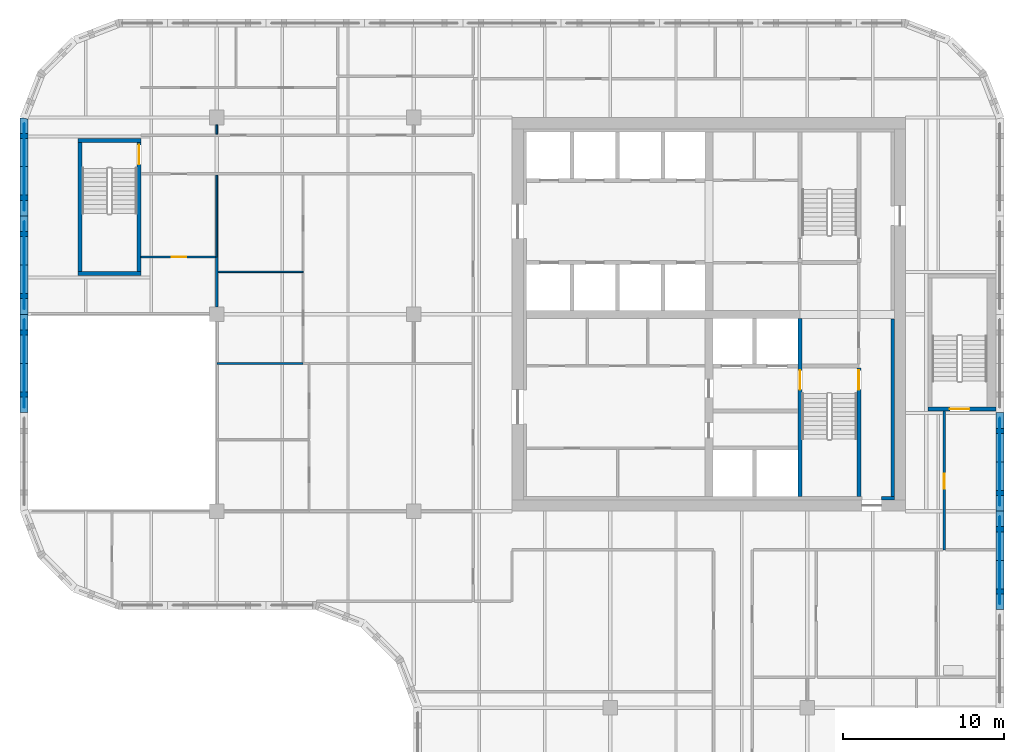
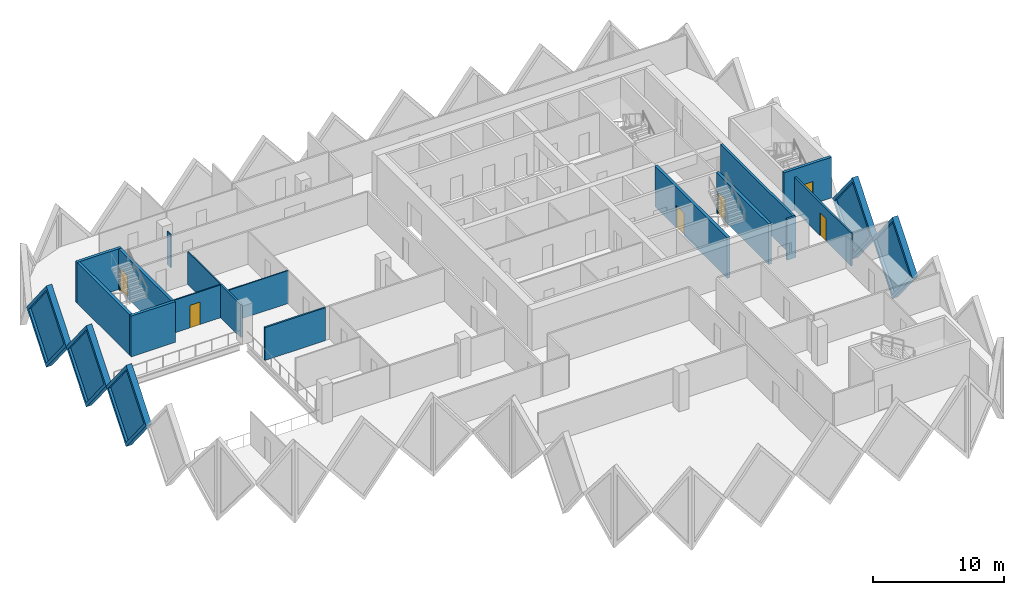
# One storey, part 6 of 12: 21 walls, 6 doors, 5 plates, 11 openings.
"""IFC4 building model written with IfcOpenShell, lengths in metres."""

import ifcopenshell
import ifcopenshell.guid

model = None  # the IFC model being written
_history = None  # IfcOwnerHistory: only IFC2X3 demands one
_inside = {}  # id of a spatial element -> (the spatial element, [elements in it])
_under = {}  # id of a project, library or spatial element -> (it, [spatial elements below it])
_declared = {}  # id of a project -> (the project, [libraries it declares])
_typed = {}  # id of a type object -> (the type object, [elements of that type])
_made_of = {}  # id of a material, layer set ... -> (it, [elements and type objects made of it])


def new_model(schema):
    """Start an empty IFC model of exactly this schema.

    Asked for "IFC4X3", IfcOpenShell would pick the latest addendum, in which some entities
    have other attributes; the version numbers below select the first issue.
    IFC2X3 requires an IfcOwnerHistory on every rooted entity: one is made here for all.
    """
    global model, _history
    if schema == "IFC4X3":
        model = ifcopenshell.file(schema_version=(4, 3, 0, 0))
    else:
        model = ifcopenshell.file(schema=schema)
    _inside.clear()
    _under.clear()
    _declared.clear()
    _typed.clear()
    _made_of.clear()
    _history = None
    if model.schema == "IFC2X3":
        org = make("IfcOrganization", Name="unknown")
        user = make(
            "IfcPersonAndOrganization",
            ThePerson=make("IfcPerson", FamilyName="unknown"),
            TheOrganization=org,
        )
        app = make(
            "IfcApplication",
            ApplicationDeveloper=org,
            Version="unknown",
            ApplicationFullName="unknown",
            ApplicationIdentifier="unknown",
        )
        _history = make(
            "IfcOwnerHistory",
            OwningUser=user,
            OwningApplication=app,
            ChangeAction="ADDED",
            CreationDate=0,
        )
    return model


def make(cls, **values):
    """One entity of the class cls with the attributes given. An attribute that is None is left unset."""
    return model.create_entity(
        cls, **{name: value for name, value in values.items() if value is not None}
    )


def rooted(cls, **values):
    """An entity with a GlobalId (a new one), such as an element, a storey or a relation."""
    return make(cls, GlobalId=ifcopenshell.guid.new(), OwnerHistory=_history, **values)


def si_unit(unit_type, name, prefix=None):
    """IfcSIUnit, for example si_unit("LENGTHUNIT", "METRE", prefix="MILLI")."""
    return make("IfcSIUnit", UnitType=unit_type, Prefix=prefix, Name=name)


def assignment(units):
    """IfcUnitAssignment: the units of a project."""
    return None if units is None else make("IfcUnitAssignment", Units=units)


def point(xyz):
    """IfcCartesianPoint."""
    return None if xyz is None else make("IfcCartesianPoint", Coordinates=xyz)


def direction(xyz):
    """IfcDirection."""
    return None if xyz is None else make("IfcDirection", DirectionRatios=xyz)


def frame(location, z_axis=None, x_axis=None):
    """IfcAxis2Placement3D, a coordinate frame: its origin and axes. An axis left out is left unset."""
    return make(
        "IfcAxis2Placement3D",
        Location=point(location),
        Axis=direction(z_axis),
        RefDirection=direction(x_axis),
    )


def frame_2d(location, x_axis=None):
    """IfcAxis2Placement2D, a coordinate frame in the plane: its origin and x axis."""
    return make(
        "IfcAxis2Placement2D", Location=point(location), RefDirection=direction(x_axis)
    )


def origin():
    """The frame at (0, 0, 0) with its axes left unset."""
    return frame((0.0, 0.0, 0.0))


def place(relative_to, where):
    """IfcLocalPlacement: puts the frame where relative to a parent placement (None: the world)."""
    return make(
        "IfcLocalPlacement", PlacementRelTo=relative_to, RelativePlacement=where
    )


def context(
    kind, dimensions, precision=None, world=None, true_north=None, identifier=None
):
    """IfcGeometricRepresentationContext, for example the 3D "Model" context."""
    return make(
        "IfcGeometricRepresentationContext",
        ContextIdentifier=identifier,
        ContextType=kind,
        CoordinateSpaceDimension=dimensions,
        Precision=precision,
        WorldCoordinateSystem=world,
        TrueNorth=true_north,
    )


def subcontext(parent, identifier, kind, view, scale=None):
    """IfcGeometricRepresentationSubContext, for example "Body" below "Model"."""
    return make(
        "IfcGeometricRepresentationSubContext",
        ContextIdentifier=identifier,
        ContextType=kind,
        ParentContext=parent,
        TargetScale=scale,
        TargetView=view,
    )


def project(units=None, contexts=None):
    """IfcProject with its units and contexts."""
    return rooted(
        "IfcProject",
        Name="project",
        RepresentationContexts=contexts,
        UnitsInContext=assignment(units),
    )


def spatial(cls, under=None, at=None, **own):
    """A site, building, storey or space (cls), placed at a placement, below another one or the project."""
    s = rooted(cls, ObjectPlacement=at, **own)
    if under is not None:
        _under.setdefault(under.id(), (under, []))[1].append(s)
    return s


def polyline(points):
    """IfcPolyline through the points."""
    return make("IfcPolyline", Points=[point(p) for p in points])


def profile(cls, at=None, kind="AREA", **sizes):
    """A parametric profile (cls). Its sizes go by their IFC names, for example OverallWidth=200.0."""
    return make(cls, ProfileType=kind, Position=at, **sizes)


def rectangle(**sizes):
    """IfcRectangleProfileDef."""
    return profile("IfcRectangleProfileDef", **sizes)


def outline(outer, holes=None, kind="AREA"):
    """IfcArbitraryClosedProfileDef: a profile drawn as a closed curve; with holes, ...WithVoids."""
    if holes is None:
        return make("IfcArbitraryClosedProfileDef", ProfileType=kind, OuterCurve=outer)
    return make(
        "IfcArbitraryProfileDefWithVoids",
        ProfileType=kind,
        OuterCurve=outer,
        InnerCurves=holes,
    )


def extrude(swept, where, along, depth):
    """IfcExtrudedAreaSolid: the profile swept, set in the frame where, extruded along a direction by depth."""
    return make(
        "IfcExtrudedAreaSolid",
        SweptArea=swept,
        Position=where,
        ExtrudedDirection=direction(along),
        Depth=depth,
    )


def faces_of(points, faces, orient=None, outer=None):
    """IfcFace entities. A face is a list of loops; a loop is a list of indices into points, from 0.

    orient and outer hold one flag for each loop. By default every Orientation is true, the
    first loop of a face is its IfcFaceOuterBound and the others are IfcFaceBound.
    """
    made = []
    for i, loops in enumerate(faces):
        bounds = []
        for j, loop in enumerate(loops):
            is_outer = j == 0 if outer is None else outer[i][j]
            bounds.append(
                make(
                    "IfcFaceOuterBound" if is_outer else "IfcFaceBound",
                    Bound=make("IfcPolyLoop", Polygon=[points[k] for k in loop]),
                    Orientation=True if orient is None else orient[i][j],
                )
            )
        made.append(make("IfcFace", Bounds=bounds))
    return made


def faceted_brep(points, faces, orient=None, outer=None, voids=None):
    """IfcFacetedBrep: a solid bounded by flat faces; with voids (closed shells), ...WithVoids."""
    shared = [point(p) for p in points]
    hull = make("IfcClosedShell", CfsFaces=faces_of(shared, faces, orient, outer))
    if voids is None:
        return make("IfcFacetedBrep", Outer=hull)
    return make(
        "IfcFacetedBrepWithVoids",
        Outer=hull,
        Voids=[
            make(cls, CfsFaces=faces_of(shared, fs, o, b)) for cls, fs, o, b in voids
        ],
    )


def shape(context_of_items, identifier, shape_type, items):
    """IfcShapeRepresentation: the items that make up one representation, for example the "Body"."""
    return make(
        "IfcShapeRepresentation",
        ContextOfItems=context_of_items,
        RepresentationIdentifier=identifier,
        RepresentationType=shape_type,
        Items=items,
    )


def source(mapping_origin, context_of_items, identifier, shape_type, items):
    """IfcRepresentationMap: a shape defined once, which mapped items show again and again."""
    return make(
        "IfcRepresentationMap",
        MappingOrigin=mapping_origin,
        MappedRepresentation=shape(context_of_items, identifier, shape_type, items),
    )


def transform(
    local_origin,
    x_axis=None,
    y_axis=None,
    z_axis=None,
    scale=None,
    scale2=None,
    scale3=None,
    uniform=True,
):
    """IfcCartesianTransformationOperator3D, or its non-uniform kind. x_axis, y_axis, z_axis: its Axis1, 2, 3."""
    if uniform:
        return make(
            "IfcCartesianTransformationOperator3D",
            Axis1=direction(x_axis),
            Axis2=direction(y_axis),
            LocalOrigin=point(local_origin),
            Scale=scale,
            Axis3=direction(z_axis),
        )
    return make(
        "IfcCartesianTransformationOperator3DnonUniform",
        Axis1=direction(x_axis),
        Axis2=direction(y_axis),
        LocalOrigin=point(local_origin),
        Scale=scale,
        Axis3=direction(z_axis),
        Scale2=scale2,
        Scale3=scale3,
    )


def mapped(mapping_source, mapping_target):
    """IfcMappedItem: shows the shape of a source again, moved by a transform."""
    return make(
        "IfcMappedItem", MappingSource=mapping_source, MappingTarget=mapping_target
    )


def material(Name=None, Category=None):
    """IfcMaterial."""
    return make("IfcMaterial", Name=Name, Category=Category)


def layer(
    of_material, thickness, ventilated=None, Name=None, Category=None, Priority=None
):
    """IfcMaterialLayer: one layer of a wall or slab, of a material (None: an air gap)."""
    return make(
        "IfcMaterialLayer",
        Material=of_material,
        LayerThickness=thickness,
        IsVentilated=ventilated,
        Name=Name,
        Category=Category,
        Priority=Priority,
    )


def layer_set(layers, Name=None):
    """IfcMaterialLayerSet."""
    return make("IfcMaterialLayerSet", MaterialLayers=layers, LayerSetName=Name)


def made_of(thing, what):
    """Note that an element or type object is made of a material, layer set ...; save() writes the relation."""
    if what is not None:
        _made_of.setdefault(what.id(), (what, []))[1].append(thing)
    return thing


def type_object(cls, material=None, **own):
    """A type object (cls), such as IfcWallType, which elements share."""
    return made_of(rooted(cls, **own), material)


def element(
    cls,
    number,
    at=None,
    inside=None,
    cuts=None,
    type_object=None,
    material=None,
    context=None,
    identifier="Body",
    shape_type=None,
    held_by="IfcProductDefinitionShape",
    body=None,
    shapes=None,
    **own,
):
    """One element of the class cls, such as IfcWall. Its Tag is "e" and its number.

    at: its placement. inside: the storey or other place that contains it. cuts: it is an
    opening in that element (IfcRelVoidsElement). A single representation is given by context,
    identifier, shape_type and body (its items); several are given by shapes. held_by: the class
    of the entity that holds the representations. save() writes the other relations.
    """
    e = rooted(cls, Tag="e%d" % number, ObjectPlacement=at, **own)
    if body is not None:
        shapes = [shape(context, identifier, shape_type, body)]
    if shapes is not None:
        e.Representation = make(held_by, Representations=shapes)
    if inside is not None:
        _inside.setdefault(inside.id(), (inside, []))[1].append(e)
    if cuts is not None:
        rooted(
            "IfcRelVoidsElement", RelatingBuildingElement=cuts, RelatedOpeningElement=e
        )
    if type_object is not None:
        _typed.setdefault(type_object.id(), (type_object, []))[1].append(e)
    return made_of(e, material)


def fill(opening, filler):
    """IfcRelFillsElement: the door or window that sits in an opening."""
    return rooted(
        "IfcRelFillsElement",
        RelatingOpeningElement=opening,
        RelatedBuildingElement=filler,
    )


def aggregate(whole, parts):
    """IfcRelAggregates: a whole, such as a stair, and the parts it consists of."""
    return rooted("IfcRelAggregates", RelatingObject=whole, RelatedObjects=parts)


def save(model, path):
    """Write the relations noted so far, then the file.

    IfcRelAggregates (storeys below a building ...), IfcRelContainedInSpatialStructure (elements
    in a storey), IfcRelDefinesByType, IfcRelAssociatesMaterial and IfcRelDeclares: one each for
    every whole, place, type object, material and project.
    """
    for whole, parts in _under.values():
        aggregate(whole, parts)
    for where, things in _inside.values():
        rooted(
            "IfcRelContainedInSpatialStructure",
            RelatedElements=things,
            RelatingStructure=where,
        )
    for kind, things in _typed.values():
        rooted("IfcRelDefinesByType", RelatedObjects=things, RelatingType=kind)
    for what, things in _made_of.values():
        rooted("IfcRelAssociatesMaterial", RelatedObjects=things, RelatingMaterial=what)
    for by, libraries in _declared.values():
        rooted("IfcRelDeclares", RelatingContext=by, RelatedDefinitions=libraries)
    model.write(path)


model = new_model("IFC4")

# Units and contexts
model_context = context("Model", 3, precision=1e-05, world=origin(), true_north=direction((0.0, 1.0)))
body_context = subcontext(model_context, "Body", "Model", "MODEL_VIEW")
ifc_project = project(units=[si_unit("LENGTHUNIT", "METRE"), si_unit("AREAUNIT", "SQUARE_METRE"), si_unit("VOLUMEUNIT", "CUBIC_METRE"), si_unit("PLANEANGLEUNIT", "RADIAN"), si_unit("MASSUNIT", "GRAM", prefix="KILO")], contexts=[model_context])

# Site, building, storey
site_placement = place(None, origin())
site = spatial("IfcSite", under=ifc_project, at=site_placement, CompositionType="ELEMENT")
building_placement = place(site_placement, origin())
building = spatial("IfcBuilding", under=site, at=building_placement, Name="Tessera Gate Towers", CompositionType="ELEMENT")
storey_placement = place(building_placement, frame((0.0, 0.0, 127.800048828125)))
storey = spatial("IfcBuildingStorey", under=building, at=storey_placement, Name="L31", CompositionType="ELEMENT", Elevation=127.800048828125)

# Wall, opening, door
ifc_material_1 = material(Name="Concrete C40/50", Category="concrete")
ifc_layer_1 = layer(ifc_material_1, 0.25)
ifc_layer_set_1 = layer_set([ifc_layer_1], Name="CORE ENCLOSURE WALL 250")
wall_type_1 = type_object("IfcWallType", Name="CORE ENCLOSURE WALL 250", PredefinedType="SOLIDWALL", material=ifc_layer_set_1)
wall_1_placement = place(storey_placement, frame((48.35009765625, 36.35009765625, 0.0), z_axis=(0.0, 0.0, 1.0), x_axis=(0.0, -1.0, 0.0)))
wall_1 = element("IfcWall", 1, at=wall_1_placement, inside=storey, type_object=wall_type_1, Name="L31 shaft and stair enclosure wall", PredefinedType="SOLIDWALL", context=body_context, shape_type="SweptSolid", body=[
    extrude(rectangle(XDim=11.050048828125, YDim=0.25, at=frame_2d((5.52490234375, 0.0))), origin(), (0.0, 0.0, 1.0), 3.800048828125),
])
shared_shape_1 = source(origin(), body_context, "Body", "SweptSolid", [
    extrude(rectangle(XDim=1.199951171875, YDim=2.10009765625, at=frame_2d((0.60009765625, 1.050048828125))), frame((0.0, 0.135009765625, 0.0), z_axis=(0.0, -1.0, 0.0), x_axis=(1.0, 0.0, 0.0)), (0.0, 0.0, 1.0), 0.27001953125),
])
opening_1_placement = place(wall_1_placement, frame((3.22509765625, 0.0, 0.0)))
opening_1 = element("IfcOpeningElement", 2, at=opening_1_placement, cuts=wall_1, Name="Opening SD-ST1-1", PredefinedType="OPENING", context=body_context, shape_type="MappedRepresentation", body=[
    mapped(shared_shape_1, transform((0.0, 0.0, 0.0), scale=1.0)),
])
ifc_material_2 = material(Name="Hollow steel fire door", Category="steel")
door_type_1 = type_object("IfcDoorType", Name="CORE DOOR SD 1200x2100", OperationType="NOTDEFINED", PredefinedType="DOOR", material=ifc_material_2)
shared_shape_2 = source(origin(), body_context, "Body", "SweptSolid", [
    extrude(rectangle(XDim=1.199951171875, YDim=2.10009765625, at=frame_2d((0.60009765625, 1.050048828125))), frame((0.0, 0.02490234375, 0.0), z_axis=(0.0, -1.0, 0.0), x_axis=(1.0, 0.0, 0.0)), (0.0, 0.0, 1.0), 0.050048828125),
])
door_1_placement = place(opening_1_placement, origin())
door_1 = element("IfcDoor", 3, at=door_1_placement, inside=storey, type_object=door_type_1, Name="Stair door", OperationType="SINGLE_SWING_LEFT", OverallHeight=2.10009765625, OverallWidth=1.199951171875, PredefinedType="DOOR", context=body_context, shape_type="MappedRepresentation", body=[
    mapped(shared_shape_2, transform((0.0, 0.0, 0.0), scale=1.0)),
])
fill(opening_1, door_1)

wall_2_placement = place(storey_placement, frame((52.0, 25.300048828125, 0.0), z_axis=(0.0, 0.0, 1.0), x_axis=(0.0, 1.0, 0.0)))
wall_2 = element("IfcWall", 4, at=wall_2_placement, inside=storey, type_object=wall_type_1, Name="L31 shaft and stair enclosure wall", PredefinedType="SOLIDWALL", context=body_context, shape_type="SweptSolid", body=[
    extrude(rectangle(XDim=7.974853515625, YDim=0.25, at=frame_2d((3.9873046875, 0.0))), origin(), (0.0, 0.0, 1.0), 3.800048828125),
])
opening_2_placement = place(wall_2_placement, frame((6.625, 0.0, 0.0)))
opening_2 = element("IfcOpeningElement", 5, at=opening_2_placement, cuts=wall_2, Name="Opening SD-ST1-2", PredefinedType="OPENING", context=body_context, shape_type="MappedRepresentation", body=[
    mapped(shared_shape_1, transform((0.0, 0.0, 0.0), scale=1.0)),
])
door_2_placement = place(opening_2_placement, origin())
door_2 = element("IfcDoor", 6, at=door_2_placement, inside=storey, type_object=door_type_1, Name="Stair door", OperationType="SINGLE_SWING_RIGHT", OverallHeight=2.10009765625, OverallWidth=1.199951171875, PredefinedType="DOOR", context=body_context, shape_type="MappedRepresentation", body=[
    mapped(shared_shape_2, transform((0.0, 0.0, 0.0), scale=1.0)),
])
fill(opening_2, door_2)

# Walls
wall_3_placement = place(storey_placement, frame((7.5, 39.125, 0.0), z_axis=(0.0, 0.0, 1.0), x_axis=(-1.0, 0.0, 0.0)))
element("IfcWall", 7, at=wall_3_placement, inside=storey, type_object=wall_type_1, Name="L31 ST3 enclosure wall", PredefinedType="SOLIDWALL", context=body_context, shape_type="SweptSolid", body=[
    extrude(rectangle(XDim=3.89990234375, YDim=0.25, at=frame_2d((1.949951171875, 0.0))), origin(), (0.0, 0.0, 1.0), 3.800048828125),
])
wall_4_placement = place(storey_placement, frame((3.72509765625, 39.25, 0.0), z_axis=(0.0, 0.0, 1.0), x_axis=(0.0, 1.0, 0.0)))
element("IfcWall", 8, at=wall_4_placement, inside=storey, type_object=wall_type_1, Name="L31 ST3 enclosure wall", PredefinedType="SOLIDWALL", context=body_context, shape_type="SweptSolid", body=[
    extrude(rectangle(XDim=8.0, YDim=0.25, at=frame_2d((4.0, 0.0))), origin(), (0.0, 0.0, 1.0), 3.800048828125),
])
wall_5_placement = place(storey_placement, frame((3.60009765625, 47.375, 0.0), z_axis=(0.0, 0.0, 1.0), x_axis=(1.0, 0.0, 0.0)))
element("IfcWall", 9, at=wall_5_placement, inside=storey, type_object=wall_type_1, Name="L31 ST3 enclosure wall", PredefinedType="SOLIDWALL", context=body_context, shape_type="SweptSolid", body=[
    extrude(rectangle(XDim=3.89990234375, YDim=0.25, at=frame_2d((1.949951171875, 0.0))), origin(), (0.0, 0.0, 1.0), 3.800048828125),
])

# Wall, opening, door
wall_6_placement = place(storey_placement, frame((7.375, 47.25, 0.0), z_axis=(0.0, 0.0, 1.0), x_axis=(0.0, -1.0, 0.0)))
wall_6 = element("IfcWall", 10, at=wall_6_placement, inside=storey, type_object=wall_type_1, Name="L31 ST3 enclosure wall", PredefinedType="SOLIDWALL", context=body_context, shape_type="SweptSolid", body=[
    extrude(rectangle(XDim=8.0, YDim=0.25, at=frame_2d((4.0, 0.0))), origin(), (0.0, 0.0, 1.0), 3.800048828125),
])
opening_3_placement = place(wall_6_placement, frame((0.14990234375, 0.0, 0.0)))
opening_3 = element("IfcOpeningElement", 11, at=opening_3_placement, cuts=wall_6, Name="Opening SD-ST3-1", PredefinedType="OPENING", context=body_context, shape_type="MappedRepresentation", body=[
    mapped(shared_shape_1, transform((0.0, 0.0, 0.0), scale=1.0)),
])
door_3_placement = place(opening_3_placement, origin())
door_3 = element("IfcDoor", 12, at=door_3_placement, inside=storey, type_object=door_type_1, Name="Stair door", OperationType="SINGLE_SWING_LEFT", OverallHeight=2.10009765625, OverallWidth=1.199951171875, PredefinedType="DOOR", context=body_context, shape_type="MappedRepresentation", body=[
    mapped(shared_shape_2, transform((0.0, 0.0, 0.0), scale=1.0)),
])
fill(opening_3, door_3)

wall_7_placement = place(storey_placement, frame((60.5, 30.72509765625, 0.0), z_axis=(0.0, 0.0, 1.0), x_axis=(-1.0, 0.0, 0.0)))
wall_7 = element("IfcWall", 13, at=wall_7_placement, inside=storey, type_object=wall_type_1, Name="L31 ST5 enclosure wall", PredefinedType="SOLIDWALL", context=body_context, shape_type="SweptSolid", body=[
    extrude(rectangle(XDim=4.199951171875, YDim=0.25, at=frame_2d((2.10009765625, 0.0))), origin(), (0.0, 0.0, 1.0), 3.800048828125),
])
opening_4_placement = place(wall_7_placement, frame((1.64990234375, 0.0, 0.0)))
opening_4 = element("IfcOpeningElement", 14, at=opening_4_placement, cuts=wall_7, Name="Opening SD-ST5-1", PredefinedType="OPENING", context=body_context, shape_type="MappedRepresentation", body=[
    mapped(shared_shape_1, transform((0.0, 0.0, 0.0), scale=1.0)),
])
door_4_placement = place(opening_4_placement, origin())
door_4 = element("IfcDoor", 15, at=door_4_placement, inside=storey, type_object=door_type_1, Name="Stair door", OperationType="SINGLE_SWING_RIGHT", OverallHeight=2.10009765625, OverallWidth=1.199951171875, PredefinedType="DOOR", context=body_context, shape_type="MappedRepresentation", body=[
    mapped(shared_shape_2, transform((0.0, 0.0, 0.0), scale=1.0)),
])
fill(opening_4, door_4)

# Walls
ifc_material_3 = material(Name="Concrete C60/75", Category="concrete")
ifc_layer_2 = layer(ifc_material_3, 0.199951171875)
ifc_layer_set_2 = layer_set([ifc_layer_2], Name="CORE WALL THICKENING 200")
wall_type_2 = type_object("IfcWallType", Name="CORE WALL THICKENING 200", PredefinedType="SOLIDWALL", material=ifc_layer_set_2)
wall_8_placement = place(storey_placement, frame((53.39990234375, 25.199951171875, 0.0), z_axis=(0.0, 0.0, 1.0), x_axis=(1.0, 0.0, 0.0)))
element("IfcWall", 16, at=wall_8_placement, inside=storey, type_object=wall_type_2, Name="Core wall thickening S L31", PredefinedType="SOLIDWALL", context=body_context, shape_type="SweptSolid", body=[
    extrude(rectangle(XDim=0.800048828125, YDim=0.199951171875, at=frame_2d((0.39990234375, 0.0))), origin(), (0.0, 0.0, 1.0), 3.800048828125),
])
wall_9_placement = place(storey_placement, frame((54.10009765625, 25.300048828125, 0.0), z_axis=(0.0, 0.0, 1.0), x_axis=(0.0, 1.0, 0.0)))
element("IfcWall", 17, at=wall_9_placement, inside=storey, type_object=wall_type_2, Name="Core wall thickening E L31", PredefinedType="SOLIDWALL", context=body_context, shape_type="SweptSolid", body=[
    extrude(rectangle(XDim=11.02001953125, YDim=0.199951171875, at=frame_2d((5.510009765625, 0.0))), origin(), (0.0, 0.0, 1.0), 3.800048828125),
])

# Wall, opening, door
ifc_material_4 = material(Name="Gypsum board on steel studs, mineral wool", Category="steel")
ifc_layer_3 = layer(ifc_material_4, 0.14990234375)
ifc_layer_set_3 = layer_set([ifc_layer_3], Name="CORRIDOR WALL 150")
wall_type_3 = type_object("IfcWallType", Name="CORRIDOR WALL 150", PredefinedType="PARTITIONING", material=ifc_layer_set_3)
wall_10_placement = place(storey_placement, frame((57.300048828125, 30.60009765625, 0.0), z_axis=(0.0, 0.0, 1.0), x_axis=(0.0, -1.0, 0.0)))
wall_10 = element("IfcWall", 18, at=wall_10_placement, inside=storey, type_object=wall_type_3, Name="T1-L31-PW-019", PredefinedType="PARTITIONING", context=body_context, shape_type="SweptSolid", body=[
    extrude(rectangle(XDim=8.60009765625, YDim=0.14990234375, at=frame_2d((4.300048828125, 0.0))), origin(), (0.0, 0.0, 1.0), 3.06689453125),
])
shared_shape_3 = source(origin(), body_context, "Body", "SweptSolid", [
    extrude(rectangle(XDim=0.89990234375, YDim=2.10009765625, at=frame_2d((0.449951171875, 1.050048828125))), frame((0.0, 0.0849609375, 0.0), z_axis=(0.0, -1.0, 0.0), x_axis=(1.0, 0.0, 0.0)), (0.0, 0.0, 1.0), 0.169921875),
])
opening_5_placement = place(wall_10_placement, frame((3.89990234375, 0.0, 0.0)))
opening_5 = element("IfcOpeningElement", 19, at=opening_5_placement, cuts=wall_10, Name="Opening D890FD60-A11-03", PredefinedType="OPENING", context=body_context, shape_type="MappedRepresentation", body=[
    mapped(shared_shape_3, transform((0.0, 0.0, 0.0), scale=1.0)),
])
ifc_material_5 = material(Name="Timber door leaf in steel frame", Category="steel")
door_type_2 = type_object("IfcDoorType", Name="CORRIDOR DOOR 900 FD60", OperationType="NOTDEFINED", PredefinedType="DOOR", material=ifc_material_5)
shared_shape_4 = source(origin(), body_context, "Body", "SweptSolid", [
    extrude(rectangle(XDim=0.89990234375, YDim=2.10009765625, at=frame_2d((0.449951171875, 1.050048828125))), frame((0.0, 0.02490234375, 0.0), z_axis=(0.0, -1.0, 0.0), x_axis=(1.0, 0.0, 0.0)), (0.0, 0.0, 1.0), 0.050048828125),
])
door_5_placement = place(opening_5_placement, origin())
door_5 = element("IfcDoor", 20, at=door_5_placement, inside=storey, type_object=door_type_2, Name="T1-L31-PD-017", OperationType="SINGLE_SWING_RIGHT", OverallHeight=2.10009765625, OverallWidth=0.89990234375, PredefinedType="DOOR", context=body_context, shape_type="MappedRepresentation", body=[
    mapped(shared_shape_4, transform((0.0, 0.0, 0.0), scale=1.0)),
])
fill(opening_5, door_5)

# Walls
ifc_material_6 = material(Name="Glass", Category="glass")
ifc_layer_4 = layer(ifc_material_6, 0.10009765625)
ifc_layer_set_4 = layer_set([ifc_layer_4], Name="GLAZED PARTITION 100")
wall_type_4 = type_object("IfcWallType", Name="GLAZED PARTITION 100", PredefinedType="PARTITIONING", material=ifc_layer_set_4)
wall_11_placement = place(storey_placement, frame((12.199951171875, 40.156005859375, 0.0), z_axis=(0.0, 0.0, 1.0), x_axis=(0.0, 1.0, 0.0)))
element("IfcWall", 21, at=wall_11_placement, inside=storey, type_object=wall_type_4, Name="T1-L31-PW-036", PredefinedType="PARTITIONING", context=body_context, shape_type="SweptSolid", body=[
    extrude(rectangle(XDim=5.068115234375, YDim=0.10009765625, at=frame_2d((2.5341796875, 0.0))), origin(), (0.0, 0.0, 1.0), 3.06689453125),
])
ifc_material_7 = material(Name="Gypsum board on steel studs", Category="steel")
ifc_layer_5 = layer(ifc_material_7, 0.10009765625)
ifc_layer_set_5 = layer_set([ifc_layer_5], Name="PARTITION 100")
wall_type_5 = type_object("IfcWallType", Name="PARTITION 100", PredefinedType="PARTITIONING", material=ifc_layer_set_5)
wall_12_placement = place(storey_placement, frame((12.27587890625, 39.22607421875, 0.0), z_axis=(0.0, 0.0, 1.0), x_axis=(1.0, 0.0, 0.0)))
element("IfcWall", 22, at=wall_12_placement, inside=storey, type_object=wall_type_5, Name="T1-L31-PW-033", PredefinedType="PARTITIONING", context=body_context, shape_type="SweptSolid", body=[
    extrude(rectangle(XDim=5.274169921875, YDim=0.10009765625, at=frame_2d((2.63720703125, 0.0))), origin(), (0.0, 0.0, 1.0), 3.06689453125),
])

# Wall, opening, door
wall_13_placement = place(storey_placement, frame((12.1240234375, 40.155029296875, 0.0), z_axis=(0.0, 0.0, 1.0), x_axis=(-1.0, 0.0, 0.0)))
wall_13 = element("IfcWall", 23, at=wall_13_placement, inside=storey, type_object=wall_type_5, Name="T1-L31-PW-035", PredefinedType="PARTITIONING", context=body_context, shape_type="SweptSolid", body=[
    extrude(rectangle(XDim=4.6240234375, YDim=0.10009765625, at=frame_2d((2.31201171875, 0.0))), origin(), (0.0, 0.0, 1.0), 3.06689453125),
])
shared_shape_5 = source(origin(), body_context, "Body", "SweptSolid", [
    extrude(rectangle(XDim=0.89990234375, YDim=2.10009765625, at=frame_2d((0.449951171875, 1.050048828125))), frame((0.0, 0.06005859375, 0.0), z_axis=(0.0, -1.0, 0.0), x_axis=(1.0, 0.0, 0.0)), (0.0, 0.0, 1.0), 0.1201171875),
])
opening_6_placement = place(wall_13_placement, frame((1.823974609375, 0.0, 0.0)))
opening_6 = element("IfcOpeningElement", 24, at=opening_6_placement, cuts=wall_13, Name="Opening D190-A11-01", PredefinedType="OPENING", context=body_context, shape_type="MappedRepresentation", body=[
    mapped(shared_shape_5, transform((0.0, 0.0, 0.0), scale=1.0)),
])
ifc_material_8 = material(Name="Timber door leaf in steel frame", Category="steel")
door_type_3 = type_object("IfcDoorType", Name="INTERNAL DOOR 900 NOT RATED", OperationType="NOTDEFINED", PredefinedType="DOOR", material=ifc_material_8)
door_6_placement = place(opening_6_placement, origin())
door_6 = element("IfcDoor", 25, at=door_6_placement, inside=storey, type_object=door_type_3, Name="T1-L31-PD-004", OperationType="SINGLE_SWING_RIGHT", OverallHeight=2.10009765625, OverallWidth=0.89990234375, PredefinedType="DOOR", context=body_context, shape_type="MappedRepresentation", body=[
    mapped(shared_shape_4, transform((0.0, 0.0, 0.0), scale=1.0)),
])
fill(opening_6, door_6)

# Walls
wall_14_placement = place(storey_placement, frame((12.199951171875, 48.35009765625, 0.0), z_axis=(0.0, 0.0, 1.0), x_axis=(0.0, -1.0, 0.0)))
element("IfcWall", 26, at=wall_14_placement, inside=storey, type_object=wall_type_5, Name="T1-L31-PW-041", PredefinedType="PARTITIONING", context=body_context, shape_type="SweptSolid", body=[
    extrude(rectangle(XDim=0.5751953125, YDim=0.10009765625, at=frame_2d((0.28759765625, 0.0))), origin(), (0.0, 0.0, 1.0), 3.06689453125),
])
ifc_material_9 = material(Name="Gypsum board on steel studs, mineral wool", Category="steel")
ifc_layer_6 = layer(ifc_material_9, 0.14990234375)
ifc_layer_set_6 = layer_set([ifc_layer_6], Name="TENANCY WALL 150")
wall_type_6 = type_object("IfcWallType", Name="TENANCY WALL 150", PredefinedType="PARTITIONING", material=ifc_layer_set_6)
wall_15_placement = place(storey_placement, frame((12.199951171875, 33.550048828125, 0.0), z_axis=(0.0, 0.0, 1.0), x_axis=(1.0, 0.0, 0.0)))
element("IfcWall", 27, at=wall_15_placement, inside=storey, type_object=wall_type_6, Name="T1-L31-PW-027", PredefinedType="PARTITIONING", context=body_context, shape_type="SweptSolid", body=[
    extrude(rectangle(XDim=5.35009765625, YDim=0.14990234375, at=frame_2d((2.675048828125, 0.0))), origin(), (0.0, 0.0, 1.0), 3.06689453125),
])
wall_16_placement = place(storey_placement, frame((12.199951171875, 37.051025390625, 0.0), z_axis=(0.0, 0.0, 1.0), x_axis=(0.0, 1.0, 0.0)))
element("IfcWall", 28, at=wall_16_placement, inside=storey, type_object=wall_type_6, Name="T1-L31-PW-032", PredefinedType="PARTITIONING", context=body_context, shape_type="SweptSolid", body=[
    extrude(rectangle(XDim=3.10400390625, YDim=0.14990234375, at=frame_2d((1.552001953125, 0.0))), origin(), (0.0, 0.0, 1.0), 3.06689453125),
])

# Wall, opening, plate
ifc_material_10 = material(Name="Precast concrete C60/75 white", Category="concrete")
ifc_layer_7 = layer(ifc_material_10, 0.5)
ifc_layer_set_7 = layer_set([ifc_layer_7], Name="TS1 tessera")
wall_type_7 = type_object("IfcWallType", Name="TS1 tessera", PredefinedType="SOLIDWALL", material=ifc_layer_set_7)
shared_shape_6 = source(origin(), body_context, "Body", "Brep", [
    faceted_brep([(3.00341796875, -0.25, 0.0), (6.053466796875, -0.25, 3.800048828125), (3.00341796875, -0.25, 7.60009765625), (0.0, -0.25, 3.800048828125), (0.046630859375, 0.25, 3.85888671875), (3.00341796875, 0.25, 7.60009765625), (6.053466796875, 0.25, 3.800048828125), (3.00341796875, 0.25, 0.0), (0.046630859375, 0.25, 3.7412109375), (0.0, 0.0, 3.800048828125)], [[[0, 1, 2, 3]], [[4, 5, 6, 7, 8]], [[7, 6, 1, 0]], [[6, 5, 2, 1]], [[5, 4, 9, 3, 2]], [[8, 7, 0, 3, 9]], [[8, 9, 4]]]),
])
wall_17_placement = place(storey_placement, frame((0.25, 48.75341796875, -3.800048828125), z_axis=(0.0, 0.0, 1.0), x_axis=(0.0, -1.0, 0.0)))
wall_17 = element("IfcWall", 29, at=wall_17_placement, inside=storey, type_object=wall_type_7, Name="Precast tessera T1 TS1-0523", PredefinedType="SOLIDWALL", context=body_context, shape_type="MappedRepresentation", body=[
    mapped(shared_shape_6, transform((0.0, 0.0, 0.0), scale=1.0)),
])
shared_shape_7 = source(origin(), body_context, "Body", "SweptSolid", [
    extrude(outline(polyline([(3.0048828125, 0.4013671875), (5.73291015625, 3.800048828125), (3.0048828125, 7.19873046875), (0.318603515625, 3.800048828125), (3.0048828125, 0.4013671875)])), frame((0.0, 0.260009765625, 0.0), z_axis=(0.0, -1.0, 0.0), x_axis=(1.0, 0.0, 0.0)), (0.0, 0.0, 1.0), 0.52001953125),
])
opening_7_placement = place(wall_17_placement, origin())
opening_7 = element("IfcOpeningElement", 30, at=opening_7_placement, cuts=wall_17, Name="Opening T1-PL2-1065", PredefinedType="OPENING", context=body_context, shape_type="MappedRepresentation", body=[
    mapped(shared_shape_7, transform((0.0, 0.0, 0.0), scale=1.0)),
])
ifc_material_11 = material(Name="Low-e laminated glass", Category="glass")
ifc_layer_8 = layer(ifc_material_11, 0.06005859375)
ifc_layer_set_8 = layer_set([ifc_layer_8], Name="PL2 rhombic pane")
plate_type = type_object("IfcPlateType", Name="PL2 rhombic pane", PredefinedType="SHEET", material=ifc_layer_set_8)
shared_shape_8 = source(origin(), body_context, "Body", "SweptSolid", [
    extrude(outline(polyline([(3.0048828125, 0.4013671875), (5.73291015625, 3.800048828125), (3.0048828125, 7.19873046875), (0.318603515625, 3.800048828125), (3.0048828125, 0.4013671875)])), frame((0.0, 0.030029296875, 0.0), z_axis=(0.0, -1.0, 0.0), x_axis=(1.0, 0.0, 0.0)), (0.0, 0.0, 1.0), 0.06005859375),
])
plate_1_placement = place(opening_7_placement, origin())
plate_1 = element("IfcPlate", 31, at=plate_1_placement, inside=storey, type_object=plate_type, Name="Glass pane T1 PL2-1065", PredefinedType="SHEET", context=body_context, shape_type="MappedRepresentation", body=[
    mapped(shared_shape_8, transform((0.0, 0.0, 0.0), scale=1.0)),
])
fill(opening_7, plate_1)

shared_shape_9 = source(origin(), body_context, "Body", "Brep", [
    faceted_brep([(3.050048828125, -0.25, 0.0), (6.099853515625, -0.25, 3.7998046875), (6.099853515625, -0.25, 3.80029296875), (3.050048828125, -0.25, 7.60009765625), (0.0, -0.25, 3.800048828125), (0.0, 0.25, 3.800048828125), (3.050048828125, 0.25, 7.60009765625), (6.099853515625, 0.25, 3.80029296875), (6.099853515625, 0.25, 3.7998046875), (3.050048828125, 0.25, 0.0)], [[[0, 1, 2, 3, 4]], [[5, 6, 7, 8, 9]], [[9, 8, 1, 0]], [[7, 6, 3, 2]], [[6, 5, 4, 3]], [[5, 9, 0, 4]], [[1, 8, 7, 2]]]),
])
wall_18_placement = place(storey_placement, frame((60.75, 18.300048828125, -3.800048828125), z_axis=(0.0, 0.0, 1.0), x_axis=(0.0, 1.0, 0.0)))
wall_18 = element("IfcWall", 32, at=wall_18_placement, inside=storey, type_object=wall_type_7, Name="Precast tessera T1 TS1-0511", PredefinedType="SOLIDWALL", context=body_context, shape_type="MappedRepresentation", body=[
    mapped(shared_shape_9, transform((0.0, 0.0, 0.0), scale=1.0)),
])
shared_shape_10 = source(origin(), body_context, "Body", "SweptSolid", [
    extrude(outline(polyline([(3.050048828125, 0.3994140625), (5.779541015625, 3.800048828125), (3.050048828125, 7.20068359375), (0.320556640625, 3.800048828125), (3.050048828125, 0.3994140625)])), frame((0.0, 0.260009765625, 0.0), z_axis=(0.0, -1.0, 0.0), x_axis=(1.0, 0.0, 0.0)), (0.0, 0.0, 1.0), 0.52001953125),
])
opening_8_placement = place(wall_18_placement, origin())
opening_8 = element("IfcOpeningElement", 33, at=opening_8_placement, cuts=wall_18, Name="Opening T1-PL2-1045", PredefinedType="OPENING", context=body_context, shape_type="MappedRepresentation", body=[
    mapped(shared_shape_10, transform((0.0, 0.0, 0.0), scale=1.0)),
])
shared_shape_11 = source(origin(), body_context, "Body", "SweptSolid", [
    extrude(outline(polyline([(3.050048828125, 0.3994140625), (5.779541015625, 3.800048828125), (3.050048828125, 7.20068359375), (0.320556640625, 3.800048828125), (3.050048828125, 0.3994140625)])), frame((0.0, 0.030029296875, 0.0), z_axis=(0.0, -1.0, 0.0), x_axis=(1.0, 0.0, 0.0)), (0.0, 0.0, 1.0), 0.06005859375),
])
plate_2_placement = place(opening_8_placement, origin())
plate_2 = element("IfcPlate", 34, at=plate_2_placement, inside=storey, type_object=plate_type, Name="Glass pane T1 PL2-1045", PredefinedType="SHEET", context=body_context, shape_type="MappedRepresentation", body=[
    mapped(shared_shape_11, transform((0.0, 0.0, 0.0), scale=1.0)),
])
fill(opening_8, plate_2)

wall_19_placement = place(storey_placement, frame((0.25, 42.699951171875, -3.800048828125), z_axis=(0.0, 0.0, 1.0), x_axis=(0.0, -1.0, 0.0)))
wall_19 = element("IfcWall", 35, at=wall_19_placement, inside=storey, type_object=wall_type_7, Name="Precast tessera T1 TS1-0524", PredefinedType="SOLIDWALL", context=body_context, shape_type="MappedRepresentation", body=[
    mapped(shared_shape_9, transform((0.0, 0.0, 0.0), scale=1.0)),
])
opening_9_placement = place(wall_19_placement, origin())
opening_9 = element("IfcOpeningElement", 36, at=opening_9_placement, cuts=wall_19, Name="Opening T1-PL2-1066", PredefinedType="OPENING", context=body_context, shape_type="MappedRepresentation", body=[
    mapped(shared_shape_10, transform((0.0, 0.0, 0.0), scale=1.0)),
])
plate_3_placement = place(opening_9_placement, origin())
plate_3 = element("IfcPlate", 37, at=plate_3_placement, inside=storey, type_object=plate_type, Name="Glass pane T1 PL2-1066", PredefinedType="SHEET", context=body_context, shape_type="MappedRepresentation", body=[
    mapped(shared_shape_11, transform((0.0, 0.0, 0.0), scale=1.0)),
])
fill(opening_9, plate_3)

shared_shape_12 = source(origin(), body_context, "Body", "SweptSolid", [
    extrude(outline(polyline([(3.050048828125, 0.0), (6.10009765625, 3.800048828125), (3.050048828125, 7.60009765625), (0.0, 3.800048828125), (3.050048828125, 0.0)])), frame((0.0, 0.25, 0.0), z_axis=(0.0, -1.0, 0.0), x_axis=(1.0, 0.0, 0.0)), (0.0, 0.0, 1.0), 0.5),
])
wall_20_placement = place(storey_placement, frame((60.75, 24.39990234375, -3.800048828125), z_axis=(0.0, 0.0, 1.0), x_axis=(0.0, 1.0, 0.0)))
wall_20 = element("IfcWall", 38, at=wall_20_placement, inside=storey, type_object=wall_type_7, Name="Precast tessera T1 TS1-0512", PredefinedType="SOLIDWALL", context=body_context, shape_type="MappedRepresentation", body=[
    mapped(shared_shape_12, transform((0.0, 0.0, 0.0), scale=1.0)),
])
opening_10_placement = place(wall_20_placement, origin())
opening_10 = element("IfcOpeningElement", 39, at=opening_10_placement, cuts=wall_20, Name="Opening T1-PL2-1046", PredefinedType="OPENING", context=body_context, shape_type="MappedRepresentation", body=[
    mapped(shared_shape_10, transform((0.0, 0.0, 0.0), scale=1.0)),
])
plate_4_placement = place(opening_10_placement, origin())
plate_4 = element("IfcPlate", 40, at=plate_4_placement, inside=storey, type_object=plate_type, Name="Glass pane T1 PL2-1046", PredefinedType="SHEET", context=body_context, shape_type="MappedRepresentation", body=[
    mapped(shared_shape_11, transform((0.0, 0.0, 0.0), scale=1.0)),
])
fill(opening_10, plate_4)

wall_21_placement = place(storey_placement, frame((0.25, 36.60009765625, -3.800048828125), z_axis=(0.0, 0.0, 1.0), x_axis=(0.0, -1.0, 0.0)))
wall_21 = element("IfcWall", 41, at=wall_21_placement, inside=storey, type_object=wall_type_7, Name="Precast tessera T1 TS1-0525", PredefinedType="SOLIDWALL", context=body_context, shape_type="MappedRepresentation", body=[
    mapped(shared_shape_12, transform((0.0, 0.0, 0.0), scale=1.0)),
])
opening_11_placement = place(wall_21_placement, origin())
opening_11 = element("IfcOpeningElement", 42, at=opening_11_placement, cuts=wall_21, Name="Opening T1-PL2-1067", PredefinedType="OPENING", context=body_context, shape_type="MappedRepresentation", body=[
    mapped(shared_shape_10, transform((0.0, 0.0, 0.0), scale=1.0)),
])
plate_5_placement = place(opening_11_placement, origin())
plate_5 = element("IfcPlate", 43, at=plate_5_placement, inside=storey, type_object=plate_type, Name="Glass pane T1 PL2-1067", PredefinedType="SHEET", context=body_context, shape_type="MappedRepresentation", body=[
    mapped(shared_shape_11, transform((0.0, 0.0, 0.0), scale=1.0)),
])
fill(opening_11, plate_5)

save(model, "model.ifc")
